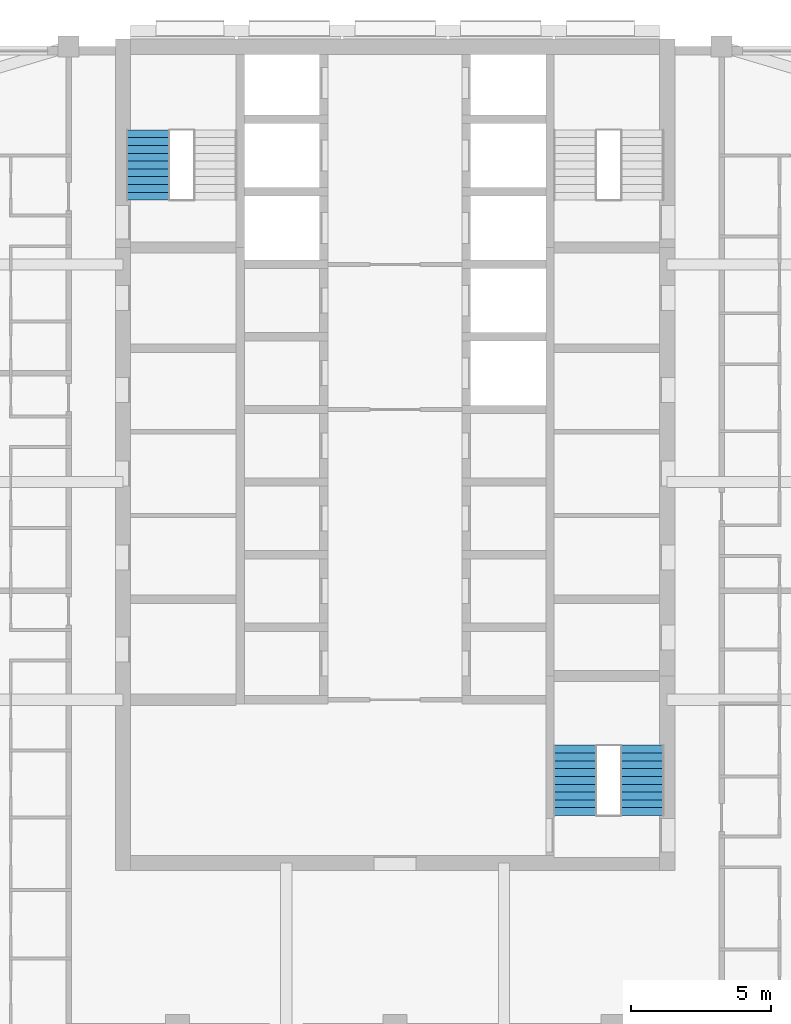
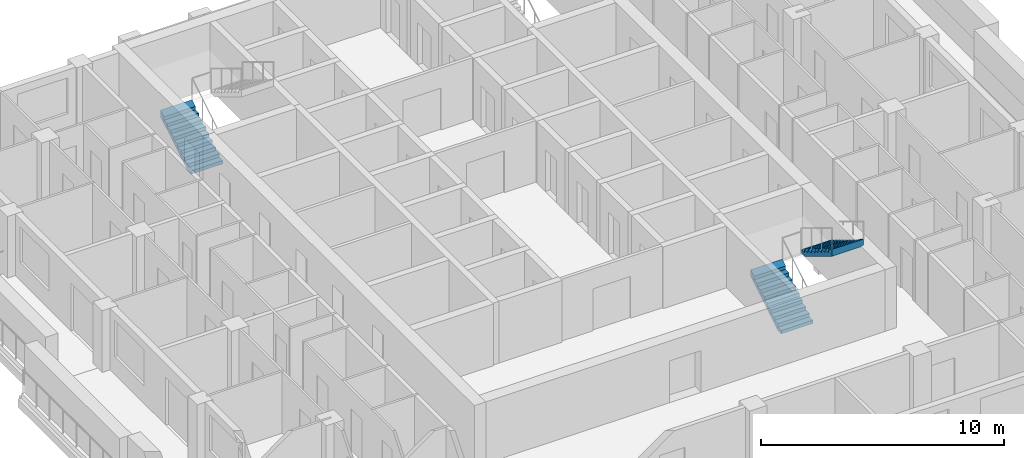
# One storey, part 10 of 13: 3 stair flights, 2 elements without a shape of their own.
"""IFC4 building model written with IfcOpenShell, lengths in metres."""

from ifc_helpers import new_model, si_unit, direction, frame, origin, place, context, subcontext, project, spatial, triangles, material, type_object, element, aggregate, save


model = new_model("IFC4")

# Units and contexts
model_context = context("Model", 3, precision=1e-05, world=origin(), true_north=direction((0.0, 1.0)))
body_context = subcontext(model_context, "Body", "Model", "MODEL_VIEW")
ifc_project = project(units=[si_unit("LENGTHUNIT", "METRE"), si_unit("AREAUNIT", "SQUARE_METRE"), si_unit("VOLUMEUNIT", "CUBIC_METRE"), si_unit("PLANEANGLEUNIT", "RADIAN"), si_unit("MASSUNIT", "GRAM", prefix="KILO")], contexts=[model_context])

# Site, building, storey
site_placement = place(None, origin())
site = spatial("IfcSite", under=ifc_project, at=site_placement, CompositionType="ELEMENT")
building_placement = place(site_placement, origin())
building = spatial("IfcBuilding", under=site, at=building_placement, Name="Ludao Terraces", CompositionType="ELEMENT")
storey_placement = place(building_placement, frame((0.0, 0.0, 169.0)))
storey = spatial("IfcBuildingStorey", under=building, at=storey_placement, Name="L46", CompositionType="ELEMENT", Elevation=169.0)

# Stair, stair flight
ifc_material = material(Name="Concrete C40", Category="concrete")
stair_type = type_object("IfcStairType", Name="INT Stair", PredefinedType="HALF_TURN_STAIR", material=ifc_material)
stair_1_placement = place(storey_placement, origin())
stair_1 = element("IfcStair", 1, at=stair_1_placement, inside=storey, type_object=stair_type, Name="EXIT STAIR 1", PredefinedType="HALF_TURN_STAIR")
stair_flight_type = type_object("IfcStairFlightType", Name="INT Stair flight", PredefinedType="STRAIGHT", material=ifc_material)
stair_flight_1_placement = place(storey_placement, frame((76.14990234375, 79.0, 0.0), z_axis=(0.0, 0.0, 1.0), x_axis=(0.0, 1.0, 0.0)))
stair_flight_1 = element("IfcStairFlight", 2, at=stair_flight_1_placement, type_object=stair_flight_type, Name="ST1 flight 1", NumberOfRisers=10, NumberOfTreads=9, PredefinedType="STRAIGHT", RiserHeight=0.17, TreadLength=0.28, context=body_context, shape_type="Tessellation", body=[
    triangles([(0.0, -0.75, 0.0), (0.0, -0.5, 0.0), (0.0, -0.25, 0.0), (0.0, 0.0, 0.0), (0.0, 0.25, 0.0), (0.0, 0.5, 0.0), (0.0, 0.75, 0.0), (0.0, -0.75, 0.169921875), (0.0, -0.5, 0.169921875), (0.0, -0.25, 0.169921875), (0.0, 0.0, 0.169921875), (0.0, 0.25, 0.169921875), (0.0, 0.5, 0.169921875), (0.0, 0.75, 0.169921875), (0.280029296875, -0.75, 0.169921875), (0.280029296875, -0.5, 0.169921875), (0.280029296875, -0.25, 0.169921875), (0.280029296875, 0.0, 0.169921875), (0.280029296875, 0.25, 0.169921875), (0.280029296875, 0.5, 0.169921875), (0.280029296875, 0.75, 0.169921875), (0.280029296875, -0.75, 0.340087890625), (0.280029296875, -0.5, 0.340087890625), (0.280029296875, -0.25, 0.340087890625), (0.280029296875, 0.0, 0.340087890625), (0.280029296875, 0.25, 0.340087890625), (0.280029296875, 0.5, 0.340087890625), (0.280029296875, 0.75, 0.340087890625), (0.56005859375, -0.75, 0.340087890625), (0.56005859375, -0.5, 0.340087890625), (0.56005859375, -0.25, 0.340087890625), (0.56005859375, 0.0, 0.340087890625), (0.56005859375, 0.25, 0.340087890625), (0.56005859375, 0.5, 0.340087890625), (0.56005859375, 0.75, 0.340087890625), (0.56005859375, -0.75, 0.510009765625), (0.56005859375, -0.5, 0.510009765625), (0.56005859375, -0.25, 0.510009765625), (0.56005859375, 0.0, 0.510009765625), (0.56005859375, 0.25, 0.510009765625), (0.56005859375, 0.5, 0.510009765625), (0.56005859375, 0.75, 0.510009765625), (0.840087890625, -0.75, 0.510009765625), (0.840087890625, -0.5, 0.510009765625), (0.840087890625, -0.25, 0.510009765625), (0.840087890625, 0.0, 0.510009765625), (0.840087890625, 0.25, 0.510009765625), (0.840087890625, 0.5, 0.510009765625), (0.840087890625, 0.75, 0.510009765625), (0.840087890625, -0.75, 0.679931640625), (0.840087890625, -0.5, 0.679931640625), (0.840087890625, -0.25, 0.679931640625), (0.840087890625, 0.0, 0.679931640625), (0.840087890625, 0.25, 0.679931640625), (0.840087890625, 0.5, 0.679931640625), (0.840087890625, 0.75, 0.679931640625), (1.1201171875, -0.75, 0.679931640625), (1.1201171875, -0.5, 0.679931640625), (1.1201171875, -0.25, 0.679931640625), (1.1201171875, 0.0, 0.679931640625), (1.1201171875, 0.25, 0.679931640625), (1.1201171875, 0.5, 0.679931640625), (1.1201171875, 0.75, 0.679931640625), (1.1201171875, -0.75, 0.85009765625), (1.1201171875, -0.5, 0.85009765625), (1.1201171875, -0.25, 0.85009765625), (1.1201171875, 0.0, 0.85009765625), (1.1201171875, 0.25, 0.85009765625), (1.1201171875, 0.5, 0.85009765625), (1.1201171875, 0.75, 0.85009765625), (1.39990234375, -0.75, 0.85009765625), (1.39990234375, -0.5, 0.85009765625), (1.39990234375, -0.25, 0.85009765625), (1.39990234375, 0.0, 0.85009765625), (1.39990234375, 0.25, 0.85009765625), (1.39990234375, 0.5, 0.85009765625), (1.39990234375, 0.75, 0.85009765625), (1.39990234375, -0.75, 1.02001953125), (1.39990234375, -0.5, 1.02001953125), (1.39990234375, -0.25, 1.02001953125), (1.39990234375, 0.0, 1.02001953125), (1.39990234375, 0.25, 1.02001953125), (1.39990234375, 0.5, 1.02001953125), (1.39990234375, 0.75, 1.02001953125), (1.679931640625, -0.75, 1.02001953125), (1.679931640625, -0.5, 1.02001953125), (1.679931640625, -0.25, 1.02001953125), (1.679931640625, 0.0, 1.02001953125), (1.679931640625, 0.25, 1.02001953125), (1.679931640625, 0.5, 1.02001953125), (1.679931640625, 0.75, 1.02001953125), (1.679931640625, -0.75, 1.18994140625), (1.679931640625, -0.5, 1.18994140625), (1.679931640625, -0.25, 1.18994140625), (1.679931640625, 0.0, 1.18994140625), (1.679931640625, 0.25, 1.18994140625), (1.679931640625, 0.5, 1.18994140625), (1.679931640625, 0.75, 1.18994140625), (1.9599609375, -0.75, 1.18994140625), (1.9599609375, -0.5, 1.18994140625), (1.9599609375, -0.25, 1.18994140625), (1.9599609375, 0.0, 1.18994140625), (1.9599609375, 0.25, 1.18994140625), (1.9599609375, 0.5, 1.18994140625), (1.9599609375, 0.75, 1.18994140625), (1.9599609375, -0.75, 1.360107421875), (1.9599609375, -0.5, 1.360107421875), (1.9599609375, -0.25, 1.360107421875), (1.9599609375, 0.0, 1.360107421875), (1.9599609375, 0.25, 1.360107421875), (1.9599609375, 0.5, 1.360107421875), (1.9599609375, 0.75, 1.360107421875), (2.239990234375, -0.75, 1.360107421875), (2.239990234375, -0.5, 1.360107421875), (2.239990234375, -0.25, 1.360107421875), (2.239990234375, 0.0, 1.360107421875), (2.239990234375, 0.25, 1.360107421875), (2.239990234375, 0.5, 1.360107421875), (2.239990234375, 0.75, 1.360107421875), (2.239990234375, -0.75, 1.530029296875), (2.239990234375, -0.5, 1.530029296875), (2.239990234375, -0.25, 1.530029296875), (2.239990234375, 0.0, 1.530029296875), (2.239990234375, 0.25, 1.530029296875), (2.239990234375, 0.5, 1.530029296875), (2.239990234375, 0.75, 1.530029296875), (2.52001953125, -0.75, 1.699951171875), (2.52001953125, -0.5, 1.699951171875), (2.52001953125, -0.25, 1.699951171875), (2.52001953125, 0.0, 1.699951171875), (2.52001953125, 0.25, 1.699951171875), (2.52001953125, 0.5, 1.699951171875), (2.52001953125, 0.75, 1.699951171875), (2.52001953125, -0.75, 1.354736328125), (2.52001953125, -0.5, 1.354736328125), (2.52001953125, -0.25, 1.354736328125), (2.52001953125, 0.0, 1.354736328125), (2.52001953125, 0.25, 1.354736328125), (2.52001953125, 0.5, 1.354736328125), (2.52001953125, 0.75, 1.354736328125), (0.288818359375, -0.75, 0.0), (0.288818359375, -0.5, 0.0), (0.288818359375, -0.25, 0.0), (0.288818359375, 0.0, 0.0), (0.288818359375, 0.25, 0.0), (0.288818359375, 0.5, 0.0), (0.288818359375, 0.75, 0.0)], [[1, 141, 134], [7, 140, 147], [134, 127, 120], [140, 126, 133], [134, 120, 113], [140, 119, 126], [134, 113, 106], [140, 112, 119], [134, 106, 99], [140, 105, 112], [99, 92, 85], [105, 91, 98], [134, 99, 85], [140, 91, 105], [85, 78, 71], [91, 77, 84], [134, 85, 71], [140, 77, 91], [71, 64, 57], [77, 63, 70], [134, 71, 57], [140, 63, 77], [57, 50, 43], [63, 49, 56], [134, 57, 43], [140, 49, 63], [43, 36, 29], [49, 35, 42], [134, 43, 29], [140, 35, 49], [29, 22, 15], [35, 21, 28], [134, 29, 15], [140, 21, 35], [1, 134, 15], [7, 21, 140], [15, 8, 1], [21, 7, 14], [1, 9, 2], [1, 8, 9], [2, 10, 3], [2, 9, 10], [3, 11, 4], [3, 10, 11], [4, 12, 5], [4, 11, 12], [5, 13, 6], [5, 12, 13], [6, 14, 7], [6, 13, 14], [8, 16, 9], [8, 15, 16], [9, 17, 10], [9, 16, 17], [10, 18, 11], [10, 17, 18], [11, 19, 12], [11, 18, 19], [12, 20, 13], [12, 19, 20], [13, 21, 14], [13, 20, 21], [15, 23, 16], [15, 22, 23], [16, 24, 17], [16, 23, 24], [17, 25, 18], [17, 24, 25], [18, 26, 19], [18, 25, 26], [19, 27, 20], [19, 26, 27], [20, 28, 21], [20, 27, 28], [22, 30, 23], [22, 29, 30], [23, 31, 24], [23, 30, 31], [24, 32, 25], [24, 31, 32], [25, 33, 26], [25, 32, 33], [26, 34, 27], [26, 33, 34], [27, 35, 28], [27, 34, 35], [29, 37, 30], [29, 36, 37], [30, 38, 31], [30, 37, 38], [31, 39, 32], [31, 38, 39], [32, 40, 33], [32, 39, 40], [33, 41, 34], [33, 40, 41], [34, 42, 35], [34, 41, 42], [36, 44, 37], [36, 43, 44], [37, 45, 38], [37, 44, 45], [38, 46, 39], [38, 45, 46], [39, 47, 40], [39, 46, 47], [40, 48, 41], [40, 47, 48], [41, 49, 42], [41, 48, 49], [43, 51, 44], [43, 50, 51], [44, 52, 45], [44, 51, 52], [45, 53, 46], [45, 52, 53], [46, 54, 47], [46, 53, 54], [47, 55, 48], [47, 54, 55], [48, 56, 49], [48, 55, 56], [50, 58, 51], [50, 57, 58], [51, 59, 52], [51, 58, 59], [52, 60, 53], [52, 59, 60], [53, 61, 54], [53, 60, 61], [54, 62, 55], [54, 61, 62], [55, 63, 56], [55, 62, 63], [57, 65, 58], [57, 64, 65], [58, 66, 59], [58, 65, 66], [59, 67, 60], [59, 66, 67], [60, 68, 61], [60, 67, 68], [61, 69, 62], [61, 68, 69], [62, 70, 63], [62, 69, 70], [64, 72, 65], [64, 71, 72], [65, 73, 66], [65, 72, 73], [66, 74, 67], [66, 73, 74], [67, 75, 68], [67, 74, 75], [68, 76, 69], [68, 75, 76], [69, 77, 70], [69, 76, 77], [71, 79, 72], [71, 78, 79], [72, 80, 73], [72, 79, 80], [73, 81, 74], [73, 80, 81], [74, 82, 75], [74, 81, 82], [75, 83, 76], [75, 82, 83], [76, 84, 77], [76, 83, 84], [78, 86, 79], [78, 85, 86], [79, 87, 80], [79, 86, 87], [80, 88, 81], [80, 87, 88], [81, 89, 82], [81, 88, 89], [82, 90, 83], [82, 89, 90], [83, 91, 84], [83, 90, 91], [85, 93, 86], [85, 92, 93], [86, 94, 87], [86, 93, 94], [87, 95, 88], [87, 94, 95], [88, 96, 89], [88, 95, 96], [89, 97, 90], [89, 96, 97], [90, 98, 91], [90, 97, 98], [92, 100, 93], [92, 99, 100], [93, 101, 94], [93, 100, 101], [94, 102, 95], [94, 101, 102], [95, 103, 96], [95, 102, 103], [96, 104, 97], [96, 103, 104], [97, 105, 98], [97, 104, 105], [99, 107, 100], [99, 106, 107], [100, 108, 101], [100, 107, 108], [101, 109, 102], [101, 108, 109], [102, 110, 103], [102, 109, 110], [103, 111, 104], [103, 110, 111], [104, 112, 105], [104, 111, 112], [106, 114, 107], [106, 113, 114], [107, 115, 108], [107, 114, 115], [108, 116, 109], [108, 115, 116], [109, 117, 110], [109, 116, 117], [110, 118, 111], [110, 117, 118], [111, 119, 112], [111, 118, 119], [113, 121, 114], [113, 120, 121], [114, 122, 115], [114, 121, 122], [115, 123, 116], [115, 122, 123], [116, 124, 117], [116, 123, 124], [117, 125, 118], [117, 124, 125], [118, 126, 119], [118, 125, 126], [120, 128, 121], [120, 127, 128], [121, 129, 122], [121, 128, 129], [122, 130, 123], [122, 129, 130], [123, 131, 124], [123, 130, 131], [124, 132, 125], [124, 131, 132], [125, 133, 126], [125, 132, 133], [127, 135, 128], [127, 134, 135], [128, 136, 129], [128, 135, 136], [129, 137, 130], [129, 136, 137], [130, 138, 131], [130, 137, 138], [131, 139, 132], [131, 138, 139], [132, 140, 133], [132, 139, 140], [134, 142, 135], [134, 141, 142], [135, 143, 136], [135, 142, 143], [136, 144, 137], [136, 143, 144], [137, 145, 138], [137, 144, 145], [138, 146, 139], [138, 145, 146], [139, 147, 140], [139, 146, 147], [141, 2, 142], [141, 1, 2], [142, 3, 143], [142, 2, 3], [143, 4, 144], [143, 3, 4], [144, 5, 145], [144, 4, 5], [145, 6, 146], [145, 5, 6], [146, 7, 147], [146, 6, 7]], closed=True),
])
aggregate(stair_1, [stair_flight_1])

# Stair, stair flights
stair_2_placement = place(storey_placement, origin())
stair_2 = element("IfcStair", 3, at=stair_2_placement, inside=storey, type_object=stair_type, Name="EXIT STAIR 3", PredefinedType="HALF_TURN_STAIR")
stair_flight_2_placement = place(storey_placement, frame((91.449951171875, 56.949951171875, 0.0), z_axis=(0.0, 0.0, 1.0), x_axis=(0.0, 1.0, 0.0)))
stair_flight_2 = element("IfcStairFlight", 4, at=stair_flight_2_placement, type_object=stair_flight_type, Name="ST3 flight 1", NumberOfRisers=10, NumberOfTreads=9, PredefinedType="STRAIGHT", RiserHeight=0.17, TreadLength=0.28, context=body_context, shape_type="Tessellation", body=[
    triangles([(0.0, -0.75, 0.0), (0.0, -0.5, 0.0), (0.0, -0.25, 0.0), (0.0, 0.0, 0.0), (0.0, 0.25, 0.0), (0.0, 0.5, 0.0), (0.0, 0.75, 0.0), (0.0, -0.75, 0.169921875), (0.0, -0.5, 0.169921875), (0.0, -0.25, 0.169921875), (0.0, 0.0, 0.169921875), (0.0, 0.25, 0.169921875), (0.0, 0.5, 0.169921875), (0.0, 0.75, 0.169921875), (0.280029296875, -0.75, 0.169921875), (0.280029296875, -0.5, 0.169921875), (0.280029296875, -0.25, 0.169921875), (0.280029296875, 0.0, 0.169921875), (0.280029296875, 0.25, 0.169921875), (0.280029296875, 0.5, 0.169921875), (0.280029296875, 0.75, 0.169921875), (0.280029296875, -0.75, 0.340087890625), (0.280029296875, -0.5, 0.340087890625), (0.280029296875, -0.25, 0.340087890625), (0.280029296875, 0.0, 0.340087890625), (0.280029296875, 0.25, 0.340087890625), (0.280029296875, 0.5, 0.340087890625), (0.280029296875, 0.75, 0.340087890625), (0.56005859375, -0.75, 0.340087890625), (0.56005859375, -0.5, 0.340087890625), (0.56005859375, -0.25, 0.340087890625), (0.56005859375, 0.0, 0.340087890625), (0.56005859375, 0.25, 0.340087890625), (0.56005859375, 0.5, 0.340087890625), (0.56005859375, 0.75, 0.340087890625), (0.56005859375, -0.75, 0.510009765625), (0.56005859375, -0.5, 0.510009765625), (0.56005859375, -0.25, 0.510009765625), (0.56005859375, 0.0, 0.510009765625), (0.56005859375, 0.25, 0.510009765625), (0.56005859375, 0.5, 0.510009765625), (0.56005859375, 0.75, 0.510009765625), (0.840087890625, -0.75, 0.510009765625), (0.840087890625, -0.5, 0.510009765625), (0.840087890625, -0.25, 0.510009765625), (0.840087890625, 0.0, 0.510009765625), (0.840087890625, 0.25, 0.510009765625), (0.840087890625, 0.5, 0.510009765625), (0.840087890625, 0.75, 0.510009765625), (0.840087890625, -0.75, 0.679931640625), (0.840087890625, -0.5, 0.679931640625), (0.840087890625, -0.25, 0.679931640625), (0.840087890625, 0.0, 0.679931640625), (0.840087890625, 0.25, 0.679931640625), (0.840087890625, 0.5, 0.679931640625), (0.840087890625, 0.75, 0.679931640625), (1.1201171875, -0.75, 0.679931640625), (1.1201171875, -0.5, 0.679931640625), (1.1201171875, -0.25, 0.679931640625), (1.1201171875, 0.0, 0.679931640625), (1.1201171875, 0.25, 0.679931640625), (1.1201171875, 0.5, 0.679931640625), (1.1201171875, 0.75, 0.679931640625), (1.1201171875, -0.75, 0.85009765625), (1.1201171875, -0.5, 0.85009765625), (1.1201171875, -0.25, 0.85009765625), (1.1201171875, 0.0, 0.85009765625), (1.1201171875, 0.25, 0.85009765625), (1.1201171875, 0.5, 0.85009765625), (1.1201171875, 0.75, 0.85009765625), (1.39990234375, -0.75, 0.85009765625), (1.39990234375, -0.5, 0.85009765625), (1.39990234375, -0.25, 0.85009765625), (1.39990234375, 0.0, 0.85009765625), (1.39990234375, 0.25, 0.85009765625), (1.39990234375, 0.5, 0.85009765625), (1.39990234375, 0.75, 0.85009765625), (1.39990234375, -0.75, 1.02001953125), (1.39990234375, -0.5, 1.02001953125), (1.39990234375, -0.25, 1.02001953125), (1.39990234375, 0.0, 1.02001953125), (1.39990234375, 0.25, 1.02001953125), (1.39990234375, 0.5, 1.02001953125), (1.39990234375, 0.75, 1.02001953125), (1.679931640625, -0.75, 1.02001953125), (1.679931640625, -0.5, 1.02001953125), (1.679931640625, -0.25, 1.02001953125), (1.679931640625, 0.0, 1.02001953125), (1.679931640625, 0.25, 1.02001953125), (1.679931640625, 0.5, 1.02001953125), (1.679931640625, 0.75, 1.02001953125), (1.679931640625, -0.75, 1.18994140625), (1.679931640625, -0.5, 1.18994140625), (1.679931640625, -0.25, 1.18994140625), (1.679931640625, 0.0, 1.18994140625), (1.679931640625, 0.25, 1.18994140625), (1.679931640625, 0.5, 1.18994140625), (1.679931640625, 0.75, 1.18994140625), (1.9599609375, -0.75, 1.18994140625), (1.9599609375, -0.5, 1.18994140625), (1.9599609375, -0.25, 1.18994140625), (1.9599609375, 0.0, 1.18994140625), (1.9599609375, 0.25, 1.18994140625), (1.9599609375, 0.5, 1.18994140625), (1.9599609375, 0.75, 1.18994140625), (1.9599609375, -0.75, 1.360107421875), (1.9599609375, -0.5, 1.360107421875), (1.9599609375, -0.25, 1.360107421875), (1.9599609375, 0.0, 1.360107421875), (1.9599609375, 0.25, 1.360107421875), (1.9599609375, 0.5, 1.360107421875), (1.9599609375, 0.75, 1.360107421875), (2.239990234375, -0.75, 1.360107421875), (2.239990234375, -0.5, 1.360107421875), (2.239990234375, -0.25, 1.360107421875), (2.239990234375, 0.0, 1.360107421875), (2.239990234375, 0.25, 1.360107421875), (2.239990234375, 0.5, 1.360107421875), (2.239990234375, 0.75, 1.360107421875), (2.239990234375, -0.75, 1.530029296875), (2.239990234375, -0.5, 1.530029296875), (2.239990234375, -0.25, 1.530029296875), (2.239990234375, 0.0, 1.530029296875), (2.239990234375, 0.25, 1.530029296875), (2.239990234375, 0.5, 1.530029296875), (2.239990234375, 0.75, 1.530029296875), (2.52001953125, -0.75, 1.699951171875), (2.52001953125, -0.5, 1.699951171875), (2.52001953125, -0.25, 1.699951171875), (2.52001953125, 0.0, 1.699951171875), (2.52001953125, 0.25, 1.699951171875), (2.52001953125, 0.5, 1.699951171875), (2.52001953125, 0.75, 1.699951171875), (2.52001953125, -0.75, 1.354736328125), (2.52001953125, -0.5, 1.354736328125), (2.52001953125, -0.25, 1.354736328125), (2.52001953125, 0.0, 1.354736328125), (2.52001953125, 0.25, 1.354736328125), (2.52001953125, 0.5, 1.354736328125), (2.52001953125, 0.75, 1.354736328125), (0.288818359375, -0.75, 0.0), (0.288818359375, -0.5, 0.0), (0.288818359375, -0.25, 0.0), (0.288818359375, 0.0, 0.0), (0.288818359375, 0.25, 0.0), (0.288818359375, 0.5, 0.0), (0.288818359375, 0.75, 0.0)], [[1, 141, 134], [7, 140, 147], [134, 127, 120], [140, 126, 133], [134, 120, 113], [140, 119, 126], [134, 113, 106], [140, 112, 119], [134, 106, 99], [140, 105, 112], [99, 92, 85], [105, 91, 98], [134, 99, 85], [140, 91, 105], [85, 78, 71], [91, 77, 84], [134, 85, 71], [140, 77, 91], [71, 64, 57], [77, 63, 70], [134, 71, 57], [140, 63, 77], [57, 50, 43], [63, 49, 56], [134, 57, 43], [140, 49, 63], [43, 36, 29], [49, 35, 42], [134, 43, 29], [140, 35, 49], [29, 22, 15], [35, 21, 28], [134, 29, 15], [140, 21, 35], [1, 134, 15], [7, 21, 140], [15, 8, 1], [21, 7, 14], [1, 9, 2], [1, 8, 9], [2, 10, 3], [2, 9, 10], [3, 11, 4], [3, 10, 11], [4, 12, 5], [4, 11, 12], [5, 13, 6], [5, 12, 13], [6, 14, 7], [6, 13, 14], [8, 16, 9], [8, 15, 16], [9, 17, 10], [9, 16, 17], [10, 18, 11], [10, 17, 18], [11, 19, 12], [11, 18, 19], [12, 20, 13], [12, 19, 20], [13, 21, 14], [13, 20, 21], [15, 23, 16], [15, 22, 23], [16, 24, 17], [16, 23, 24], [17, 25, 18], [17, 24, 25], [18, 26, 19], [18, 25, 26], [19, 27, 20], [19, 26, 27], [20, 28, 21], [20, 27, 28], [22, 30, 23], [22, 29, 30], [23, 31, 24], [23, 30, 31], [24, 32, 25], [24, 31, 32], [25, 33, 26], [25, 32, 33], [26, 34, 27], [26, 33, 34], [27, 35, 28], [27, 34, 35], [29, 37, 30], [29, 36, 37], [30, 38, 31], [30, 37, 38], [31, 39, 32], [31, 38, 39], [32, 40, 33], [32, 39, 40], [33, 41, 34], [33, 40, 41], [34, 42, 35], [34, 41, 42], [36, 44, 37], [36, 43, 44], [37, 45, 38], [37, 44, 45], [38, 46, 39], [38, 45, 46], [39, 47, 40], [39, 46, 47], [40, 48, 41], [40, 47, 48], [41, 49, 42], [41, 48, 49], [43, 51, 44], [43, 50, 51], [44, 52, 45], [44, 51, 52], [45, 53, 46], [45, 52, 53], [46, 54, 47], [46, 53, 54], [47, 55, 48], [47, 54, 55], [48, 56, 49], [48, 55, 56], [50, 58, 51], [50, 57, 58], [51, 59, 52], [51, 58, 59], [52, 60, 53], [52, 59, 60], [53, 61, 54], [53, 60, 61], [54, 62, 55], [54, 61, 62], [55, 63, 56], [55, 62, 63], [57, 65, 58], [57, 64, 65], [58, 66, 59], [58, 65, 66], [59, 67, 60], [59, 66, 67], [60, 68, 61], [60, 67, 68], [61, 69, 62], [61, 68, 69], [62, 70, 63], [62, 69, 70], [64, 72, 65], [64, 71, 72], [65, 73, 66], [65, 72, 73], [66, 74, 67], [66, 73, 74], [67, 75, 68], [67, 74, 75], [68, 76, 69], [68, 75, 76], [69, 77, 70], [69, 76, 77], [71, 79, 72], [71, 78, 79], [72, 80, 73], [72, 79, 80], [73, 81, 74], [73, 80, 81], [74, 82, 75], [74, 81, 82], [75, 83, 76], [75, 82, 83], [76, 84, 77], [76, 83, 84], [78, 86, 79], [78, 85, 86], [79, 87, 80], [79, 86, 87], [80, 88, 81], [80, 87, 88], [81, 89, 82], [81, 88, 89], [82, 90, 83], [82, 89, 90], [83, 91, 84], [83, 90, 91], [85, 93, 86], [85, 92, 93], [86, 94, 87], [86, 93, 94], [87, 95, 88], [87, 94, 95], [88, 96, 89], [88, 95, 96], [89, 97, 90], [89, 96, 97], [90, 98, 91], [90, 97, 98], [92, 100, 93], [92, 99, 100], [93, 101, 94], [93, 100, 101], [94, 102, 95], [94, 101, 102], [95, 103, 96], [95, 102, 103], [96, 104, 97], [96, 103, 104], [97, 105, 98], [97, 104, 105], [99, 107, 100], [99, 106, 107], [100, 108, 101], [100, 107, 108], [101, 109, 102], [101, 108, 109], [102, 110, 103], [102, 109, 110], [103, 111, 104], [103, 110, 111], [104, 112, 105], [104, 111, 112], [106, 114, 107], [106, 113, 114], [107, 115, 108], [107, 114, 115], [108, 116, 109], [108, 115, 116], [109, 117, 110], [109, 116, 117], [110, 118, 111], [110, 117, 118], [111, 119, 112], [111, 118, 119], [113, 121, 114], [113, 120, 121], [114, 122, 115], [114, 121, 122], [115, 123, 116], [115, 122, 123], [116, 124, 117], [116, 123, 124], [117, 125, 118], [117, 124, 125], [118, 126, 119], [118, 125, 126], [120, 128, 121], [120, 127, 128], [121, 129, 122], [121, 128, 129], [122, 130, 123], [122, 129, 130], [123, 131, 124], [123, 130, 131], [124, 132, 125], [124, 131, 132], [125, 133, 126], [125, 132, 133], [127, 135, 128], [127, 134, 135], [128, 136, 129], [128, 135, 136], [129, 137, 130], [129, 136, 137], [130, 138, 131], [130, 137, 138], [131, 139, 132], [131, 138, 139], [132, 140, 133], [132, 139, 140], [134, 142, 135], [134, 141, 142], [135, 143, 136], [135, 142, 143], [136, 144, 137], [136, 143, 144], [137, 145, 138], [137, 144, 145], [138, 146, 139], [138, 145, 146], [139, 147, 140], [139, 146, 147], [141, 2, 142], [141, 1, 2], [142, 3, 143], [142, 2, 3], [143, 4, 144], [143, 3, 4], [144, 5, 145], [144, 4, 5], [145, 6, 146], [145, 5, 6], [146, 7, 147], [146, 6, 7]], closed=True),
])
stair_flight_3_placement = place(storey_placement, frame((93.85009765625, 59.469970703125, 1.699951171875), z_axis=(0.0, 0.0, 1.0), x_axis=(0.0, -1.0, 0.0)))
stair_flight_3 = element("IfcStairFlight", 5, at=stair_flight_3_placement, type_object=stair_flight_type, Name="ST3 flight 2", NumberOfRisers=10, NumberOfTreads=9, PredefinedType="STRAIGHT", RiserHeight=0.17, TreadLength=0.28, context=body_context, shape_type="Tessellation", body=[
    triangles([(0.0, -0.75, 0.0), (0.0, -0.5, 0.0), (0.0, -0.25, 0.0), (0.0, 0.0, 0.0), (0.0, 0.25, 0.0), (0.0, 0.5, 0.0), (0.0, 0.75, 0.0), (0.0, -0.75, 0.169921875), (0.0, -0.5, 0.169921875), (0.0, -0.25, 0.169921875), (0.0, 0.0, 0.169921875), (0.0, 0.25, 0.169921875), (0.0, 0.5, 0.169921875), (0.0, 0.75, 0.169921875), (0.280029296875, -0.75, 0.169921875), (0.280029296875, -0.5, 0.169921875), (0.280029296875, -0.25, 0.169921875), (0.280029296875, 0.0, 0.169921875), (0.280029296875, 0.25, 0.169921875), (0.280029296875, 0.5, 0.169921875), (0.280029296875, 0.75, 0.169921875), (0.280029296875, -0.75, 0.340087890625), (0.280029296875, -0.5, 0.340087890625), (0.280029296875, -0.25, 0.340087890625), (0.280029296875, 0.0, 0.340087890625), (0.280029296875, 0.25, 0.340087890625), (0.280029296875, 0.5, 0.340087890625), (0.280029296875, 0.75, 0.340087890625), (0.56005859375, -0.75, 0.340087890625), (0.56005859375, -0.5, 0.340087890625), (0.56005859375, -0.25, 0.340087890625), (0.56005859375, 0.0, 0.340087890625), (0.56005859375, 0.25, 0.340087890625), (0.56005859375, 0.5, 0.340087890625), (0.56005859375, 0.75, 0.340087890625), (0.56005859375, -0.75, 0.510009765625), (0.56005859375, -0.5, 0.510009765625), (0.56005859375, -0.25, 0.510009765625), (0.56005859375, 0.0, 0.510009765625), (0.56005859375, 0.25, 0.510009765625), (0.56005859375, 0.5, 0.510009765625), (0.56005859375, 0.75, 0.510009765625), (0.840087890625, -0.75, 0.510009765625), (0.840087890625, -0.5, 0.510009765625), (0.840087890625, -0.25, 0.510009765625), (0.840087890625, 0.0, 0.510009765625), (0.840087890625, 0.25, 0.510009765625), (0.840087890625, 0.5, 0.510009765625), (0.840087890625, 0.75, 0.510009765625), (0.840087890625, -0.75, 0.679931640625), (0.840087890625, -0.5, 0.679931640625), (0.840087890625, -0.25, 0.679931640625), (0.840087890625, 0.0, 0.679931640625), (0.840087890625, 0.25, 0.679931640625), (0.840087890625, 0.5, 0.679931640625), (0.840087890625, 0.75, 0.679931640625), (1.1201171875, -0.75, 0.679931640625), (1.1201171875, -0.5, 0.679931640625), (1.1201171875, -0.25, 0.679931640625), (1.1201171875, 0.0, 0.679931640625), (1.1201171875, 0.25, 0.679931640625), (1.1201171875, 0.5, 0.679931640625), (1.1201171875, 0.75, 0.679931640625), (1.1201171875, -0.75, 0.85009765625), (1.1201171875, -0.5, 0.85009765625), (1.1201171875, -0.25, 0.85009765625), (1.1201171875, 0.0, 0.85009765625), (1.1201171875, 0.25, 0.85009765625), (1.1201171875, 0.5, 0.85009765625), (1.1201171875, 0.75, 0.85009765625), (1.39990234375, -0.75, 0.85009765625), (1.39990234375, -0.5, 0.85009765625), (1.39990234375, -0.25, 0.85009765625), (1.39990234375, 0.0, 0.85009765625), (1.39990234375, 0.25, 0.85009765625), (1.39990234375, 0.5, 0.85009765625), (1.39990234375, 0.75, 0.85009765625), (1.39990234375, -0.75, 1.02001953125), (1.39990234375, -0.5, 1.02001953125), (1.39990234375, -0.25, 1.02001953125), (1.39990234375, 0.0, 1.02001953125), (1.39990234375, 0.25, 1.02001953125), (1.39990234375, 0.5, 1.02001953125), (1.39990234375, 0.75, 1.02001953125), (1.679931640625, -0.75, 1.02001953125), (1.679931640625, -0.5, 1.02001953125), (1.679931640625, -0.25, 1.02001953125), (1.679931640625, 0.0, 1.02001953125), (1.679931640625, 0.25, 1.02001953125), (1.679931640625, 0.5, 1.02001953125), (1.679931640625, 0.75, 1.02001953125), (1.679931640625, -0.75, 1.18994140625), (1.679931640625, -0.5, 1.18994140625), (1.679931640625, -0.25, 1.18994140625), (1.679931640625, 0.0, 1.18994140625), (1.679931640625, 0.25, 1.18994140625), (1.679931640625, 0.5, 1.18994140625), (1.679931640625, 0.75, 1.18994140625), (1.9599609375, -0.75, 1.18994140625), (1.9599609375, -0.5, 1.18994140625), (1.9599609375, -0.25, 1.18994140625), (1.9599609375, 0.0, 1.18994140625), (1.9599609375, 0.25, 1.18994140625), (1.9599609375, 0.5, 1.18994140625), (1.9599609375, 0.75, 1.18994140625), (1.9599609375, -0.75, 1.360107421875), (1.9599609375, -0.5, 1.360107421875), (1.9599609375, -0.25, 1.360107421875), (1.9599609375, 0.0, 1.360107421875), (1.9599609375, 0.25, 1.360107421875), (1.9599609375, 0.5, 1.360107421875), (1.9599609375, 0.75, 1.360107421875), (2.239990234375, -0.75, 1.360107421875), (2.239990234375, -0.5, 1.360107421875), (2.239990234375, -0.25, 1.360107421875), (2.239990234375, 0.0, 1.360107421875), (2.239990234375, 0.25, 1.360107421875), (2.239990234375, 0.5, 1.360107421875), (2.239990234375, 0.75, 1.360107421875), (2.239990234375, -0.75, 1.530029296875), (2.239990234375, -0.5, 1.530029296875), (2.239990234375, -0.25, 1.530029296875), (2.239990234375, 0.0, 1.530029296875), (2.239990234375, 0.25, 1.530029296875), (2.239990234375, 0.5, 1.530029296875), (2.239990234375, 0.75, 1.530029296875), (2.52001953125, -0.75, 1.699951171875), (2.52001953125, -0.5, 1.699951171875), (2.52001953125, -0.25, 1.699951171875), (2.52001953125, 0.0, 1.699951171875), (2.52001953125, 0.25, 1.699951171875), (2.52001953125, 0.5, 1.699951171875), (2.52001953125, 0.75, 1.699951171875), (2.52001953125, -0.75, 1.354736328125), (2.52001953125, -0.5, 1.354736328125), (2.52001953125, -0.25, 1.354736328125), (2.52001953125, 0.0, 1.354736328125), (2.52001953125, 0.25, 1.354736328125), (2.52001953125, 0.5, 1.354736328125), (2.52001953125, 0.75, 1.354736328125), (0.288818359375, -0.75, 0.0), (0.288818359375, -0.5, 0.0), (0.288818359375, -0.25, 0.0), (0.288818359375, 0.0, 0.0), (0.288818359375, 0.25, 0.0), (0.288818359375, 0.5, 0.0), (0.288818359375, 0.75, 0.0)], [[1, 141, 134], [7, 140, 147], [134, 127, 120], [140, 126, 133], [134, 120, 113], [140, 119, 126], [134, 113, 106], [140, 112, 119], [134, 106, 99], [140, 105, 112], [99, 92, 85], [105, 91, 98], [134, 99, 85], [140, 91, 105], [85, 78, 71], [91, 77, 84], [134, 85, 71], [140, 77, 91], [71, 64, 57], [77, 63, 70], [134, 71, 57], [140, 63, 77], [57, 50, 43], [63, 49, 56], [134, 57, 43], [140, 49, 63], [43, 36, 29], [49, 35, 42], [134, 43, 29], [140, 35, 49], [29, 22, 15], [35, 21, 28], [134, 29, 15], [140, 21, 35], [1, 134, 15], [7, 21, 140], [15, 8, 1], [21, 7, 14], [1, 9, 2], [1, 8, 9], [2, 10, 3], [2, 9, 10], [3, 11, 4], [3, 10, 11], [4, 12, 5], [4, 11, 12], [5, 13, 6], [5, 12, 13], [6, 14, 7], [6, 13, 14], [8, 16, 9], [8, 15, 16], [9, 17, 10], [9, 16, 17], [10, 18, 11], [10, 17, 18], [11, 19, 12], [11, 18, 19], [12, 20, 13], [12, 19, 20], [13, 21, 14], [13, 20, 21], [15, 23, 16], [15, 22, 23], [16, 24, 17], [16, 23, 24], [17, 25, 18], [17, 24, 25], [18, 26, 19], [18, 25, 26], [19, 27, 20], [19, 26, 27], [20, 28, 21], [20, 27, 28], [22, 30, 23], [22, 29, 30], [23, 31, 24], [23, 30, 31], [24, 32, 25], [24, 31, 32], [25, 33, 26], [25, 32, 33], [26, 34, 27], [26, 33, 34], [27, 35, 28], [27, 34, 35], [29, 37, 30], [29, 36, 37], [30, 38, 31], [30, 37, 38], [31, 39, 32], [31, 38, 39], [32, 40, 33], [32, 39, 40], [33, 41, 34], [33, 40, 41], [34, 42, 35], [34, 41, 42], [36, 44, 37], [36, 43, 44], [37, 45, 38], [37, 44, 45], [38, 46, 39], [38, 45, 46], [39, 47, 40], [39, 46, 47], [40, 48, 41], [40, 47, 48], [41, 49, 42], [41, 48, 49], [43, 51, 44], [43, 50, 51], [44, 52, 45], [44, 51, 52], [45, 53, 46], [45, 52, 53], [46, 54, 47], [46, 53, 54], [47, 55, 48], [47, 54, 55], [48, 56, 49], [48, 55, 56], [50, 58, 51], [50, 57, 58], [51, 59, 52], [51, 58, 59], [52, 60, 53], [52, 59, 60], [53, 61, 54], [53, 60, 61], [54, 62, 55], [54, 61, 62], [55, 63, 56], [55, 62, 63], [57, 65, 58], [57, 64, 65], [58, 66, 59], [58, 65, 66], [59, 67, 60], [59, 66, 67], [60, 68, 61], [60, 67, 68], [61, 69, 62], [61, 68, 69], [62, 70, 63], [62, 69, 70], [64, 72, 65], [64, 71, 72], [65, 73, 66], [65, 72, 73], [66, 74, 67], [66, 73, 74], [67, 75, 68], [67, 74, 75], [68, 76, 69], [68, 75, 76], [69, 77, 70], [69, 76, 77], [71, 79, 72], [71, 78, 79], [72, 80, 73], [72, 79, 80], [73, 81, 74], [73, 80, 81], [74, 82, 75], [74, 81, 82], [75, 83, 76], [75, 82, 83], [76, 84, 77], [76, 83, 84], [78, 86, 79], [78, 85, 86], [79, 87, 80], [79, 86, 87], [80, 88, 81], [80, 87, 88], [81, 89, 82], [81, 88, 89], [82, 90, 83], [82, 89, 90], [83, 91, 84], [83, 90, 91], [85, 93, 86], [85, 92, 93], [86, 94, 87], [86, 93, 94], [87, 95, 88], [87, 94, 95], [88, 96, 89], [88, 95, 96], [89, 97, 90], [89, 96, 97], [90, 98, 91], [90, 97, 98], [92, 100, 93], [92, 99, 100], [93, 101, 94], [93, 100, 101], [94, 102, 95], [94, 101, 102], [95, 103, 96], [95, 102, 103], [96, 104, 97], [96, 103, 104], [97, 105, 98], [97, 104, 105], [99, 107, 100], [99, 106, 107], [100, 108, 101], [100, 107, 108], [101, 109, 102], [101, 108, 109], [102, 110, 103], [102, 109, 110], [103, 111, 104], [103, 110, 111], [104, 112, 105], [104, 111, 112], [106, 114, 107], [106, 113, 114], [107, 115, 108], [107, 114, 115], [108, 116, 109], [108, 115, 116], [109, 117, 110], [109, 116, 117], [110, 118, 111], [110, 117, 118], [111, 119, 112], [111, 118, 119], [113, 121, 114], [113, 120, 121], [114, 122, 115], [114, 121, 122], [115, 123, 116], [115, 122, 123], [116, 124, 117], [116, 123, 124], [117, 125, 118], [117, 124, 125], [118, 126, 119], [118, 125, 126], [120, 128, 121], [120, 127, 128], [121, 129, 122], [121, 128, 129], [122, 130, 123], [122, 129, 130], [123, 131, 124], [123, 130, 131], [124, 132, 125], [124, 131, 132], [125, 133, 126], [125, 132, 133], [127, 135, 128], [127, 134, 135], [128, 136, 129], [128, 135, 136], [129, 137, 130], [129, 136, 137], [130, 138, 131], [130, 137, 138], [131, 139, 132], [131, 138, 139], [132, 140, 133], [132, 139, 140], [134, 142, 135], [134, 141, 142], [135, 143, 136], [135, 142, 143], [136, 144, 137], [136, 143, 144], [137, 145, 138], [137, 144, 145], [138, 146, 139], [138, 145, 146], [139, 147, 140], [139, 146, 147], [141, 2, 142], [141, 1, 2], [142, 3, 143], [142, 2, 3], [143, 4, 144], [143, 3, 4], [144, 5, 145], [144, 4, 5], [145, 6, 146], [145, 5, 6], [146, 7, 147], [146, 6, 7]], closed=True),
])
aggregate(stair_2, [stair_flight_2, stair_flight_3])

save(model, "model.ifc")
